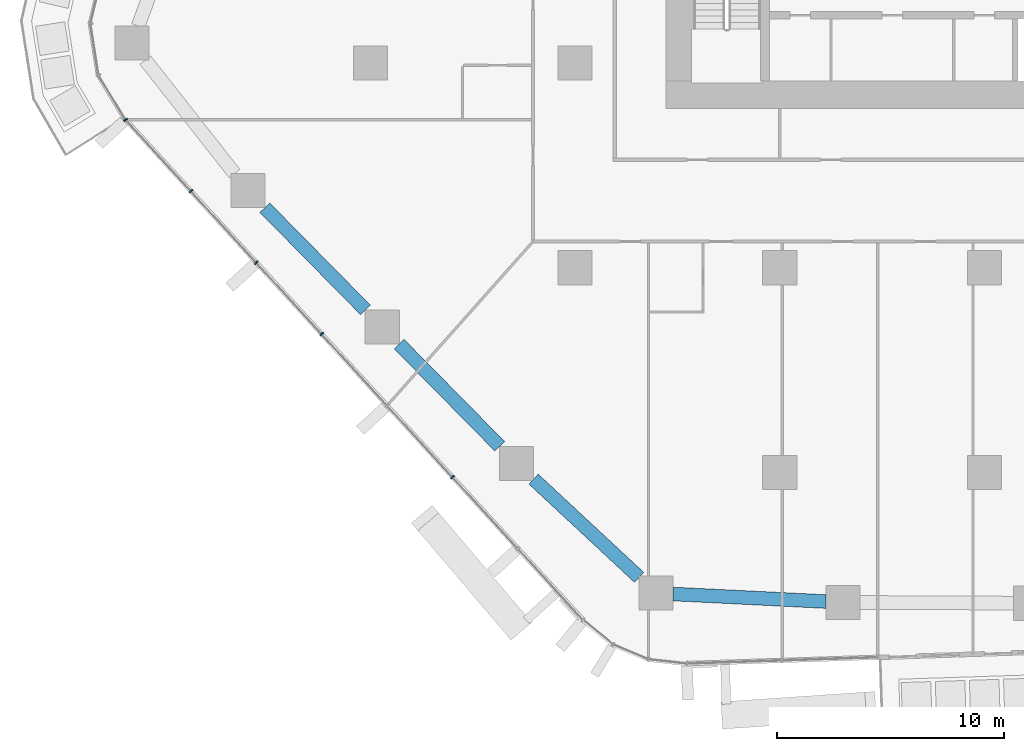
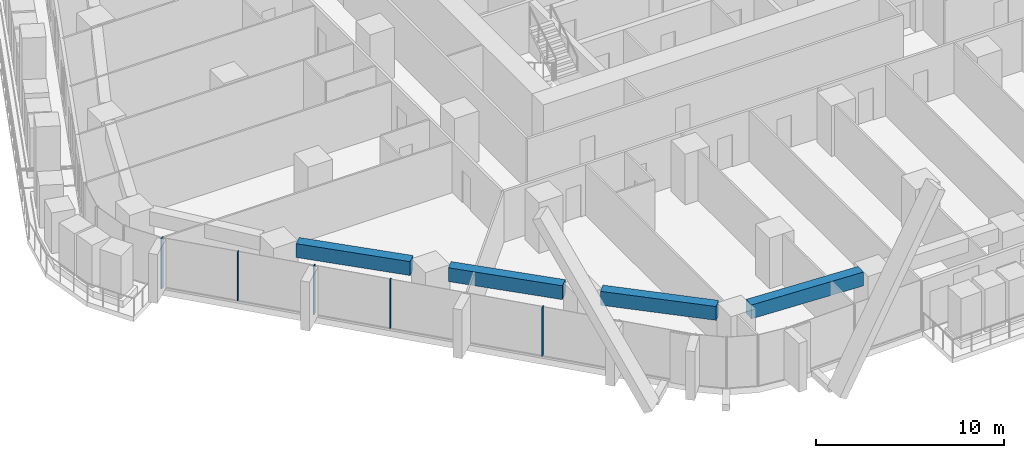
# One storey, part 3 of 27: 5 members, 4 beams, 2 elements without a shape of their own.
"""IFC4 building model written with IfcOpenShell, lengths in metres."""

from ifc_helpers import new_model, si_unit, direction, frame, origin, origin_2d, place, context, subcontext, project, spatial, rectangle, extrude, material, layer, layer_set, material_profile, profile_set, type_object, element, aggregate, save


model = new_model("IFC4")

# Units and contexts
model_context = context("Model", 3, precision=1e-05, world=origin(), true_north=direction((0.0, 1.0)))
body_context = subcontext(model_context, "Body", "Model", "MODEL_VIEW")
ifc_project = project(units=[si_unit("LENGTHUNIT", "METRE"), si_unit("AREAUNIT", "SQUARE_METRE"), si_unit("VOLUMEUNIT", "CUBIC_METRE"), si_unit("PLANEANGLEUNIT", "RADIAN"), si_unit("MASSUNIT", "GRAM", prefix="KILO")], contexts=[model_context])

# Site, building, storey
site_placement = place(None, origin())
site = spatial("IfcSite", under=ifc_project, at=site_placement, CompositionType="ELEMENT")
building_placement = place(site_placement, origin())
building = spatial("IfcBuilding", under=site, at=building_placement, Name="Dongbaek Canopy Tower", CompositionType="ELEMENT")
storey_placement = place(building_placement, frame((0.0, 0.0, 62.5)))
storey = spatial("IfcBuildingStorey", under=building, at=storey_placement, Name="L11", CompositionType="ELEMENT", Elevation=62.5)

# Curtain wall, member
ifc_material_1 = material(Name="Aluminium 6063-T6 pale anodised", Category="aluminium")
ifc_layer = layer(ifc_material_1, 0.199951171875)
ifc_layer_set = layer_set([ifc_layer], Name="CW-1 unitised tower curtain wall")
curtain_wall_type = type_object("IfcCurtainWallType", Name="CW-1 unitised tower curtain wall", PredefinedType="NOTDEFINED", material=ifc_layer_set)
curtain_wall_1_placement = place(storey_placement, origin())
curtain_wall_1 = element("IfcCurtainWall", 1, at=curtain_wall_1_placement, inside=storey, type_object=curtain_wall_type, Name="CW-1 curtain wall K3.1", PredefinedType="NOTDEFINED")
ifc_material_2 = material(Name="Aluminium 6063-T6 pale anodised", Category="aluminium")
ifc_material_profile_1 = material_profile(ifc_material_2, rectangle(XDim=0.199951171875, YDim=0.06005859375, at=origin_2d()), Name="CW-1 mullion 60 x 200")
ifc_profile_set_1 = profile_set([ifc_material_profile_1], Name="Aluminium 6063-T6 pale anodised")
member_type = type_object("IfcMemberType", Name="CW-1 mullion 60 x 200", PredefinedType="MULLION", material=ifc_profile_set_1)
member_1_placement = place(storey_placement, frame((-37.762939453125, -11.49755859375, 0.0), z_axis=(0.0, 0.0, 1.0), x_axis=(-0.854918755769, -0.518761911703, 0.0)))
member_1 = element("IfcMember", 2, at=member_1_placement, type_object=member_type, Name="CW-1 mullion K3.1.4", PredefinedType="MULLION", context=body_context, shape_type="SweptSolid", body=[
    extrude(rectangle(XDim=0.199951171875, YDim=0.06005859375, at=origin_2d()), origin(), (0.0, 0.0, 1.0), 3.300048828125),
])
aggregate(curtain_wall_1, [member_1])

# Curtain wall, members
curtain_wall_2_placement = place(storey_placement, origin())
curtain_wall_2 = element("IfcCurtainWall", 3, at=curtain_wall_2_placement, inside=storey, type_object=curtain_wall_type, Name="CW-1 curtain wall F3.1", PredefinedType="NOTDEFINED")
member_2_placement = place(storey_placement, frame((-34.893798828125, -14.634033203125, 0.1201171875), z_axis=(0.0, 0.0, 1.0), x_axis=(-0.737854848702, -0.674959422667, 0.0)))
member_2 = element("IfcMember", 4, at=member_2_placement, type_object=member_type, Name="CW-1 mullion F3.1.2", PredefinedType="MULLION", context=body_context, shape_type="SweptSolid", body=[
    extrude(rectangle(XDim=0.199951171875, YDim=0.06005859375, at=origin_2d()), origin(), (0.0, 0.0, 1.0), 3.179931640625),
])
member_3_placement = place(storey_placement, frame((-32.01806640625, -17.777587890625, 0.1201171875), z_axis=(0.0, 0.0, 1.0), x_axis=(-0.737854848702, -0.674959422667, 0.0)))
member_3 = element("IfcMember", 5, at=member_3_placement, type_object=member_type, Name="CW-1 mullion F3.1.3", PredefinedType="MULLION", context=body_context, shape_type="SweptSolid", body=[
    extrude(rectangle(XDim=0.199951171875, YDim=0.06005859375, at=origin_2d()), origin(), (0.0, 0.0, 1.0), 3.179931640625),
])
member_4_placement = place(storey_placement, frame((-29.142578125, -20.921142578125, 0.1201171875), z_axis=(0.0, 0.0, 1.0), x_axis=(-0.737854848702, -0.674959422667, 0.0)))
member_4 = element("IfcMember", 6, at=member_4_placement, type_object=member_type, Name="CW-1 mullion F3.1.4", PredefinedType="MULLION", context=body_context, shape_type="SweptSolid", body=[
    extrude(rectangle(XDim=0.199951171875, YDim=0.06005859375, at=origin_2d()), origin(), (0.0, 0.0, 1.0), 3.179931640625),
])
member_5_placement = place(storey_placement, frame((-23.391357421875, -27.208251953125, 0.1201171875), z_axis=(0.0, 0.0, 1.0), x_axis=(-0.737854848702, -0.674959422667, 0.0)))
member_5 = element("IfcMember", 7, at=member_5_placement, type_object=member_type, Name="CW-1 mullion F3.1.6", PredefinedType="MULLION", context=body_context, shape_type="SweptSolid", body=[
    extrude(rectangle(XDim=0.199951171875, YDim=0.06005859375, at=origin_2d()), origin(), (0.0, 0.0, 1.0), 3.179931640625),
])
aggregate(curtain_wall_2, [member_2, member_3, member_4, member_5])

# Beams
ifc_material_3 = material(Name="Concrete C80", Category="concrete")
ifc_material_profile_2 = material_profile(ifc_material_3, rectangle(XDim=0.60009765625, YDim=0.89990234375, at=origin_2d()), Name="RC EDGE BEAM 600x900 C80")
ifc_profile_set_2 = profile_set([ifc_material_profile_2], Name="Concrete C80")
beam_type = type_object("IfcBeamType", Name="RC EDGE BEAM 600x900 C80", PredefinedType="BEAM", material=ifc_profile_set_2)
beam_1_placement = place(storey_placement, frame((-6.971923828125, -32.68017578125, 2.85009765625), z_axis=(-0.998791258722, 0.049153041612, 0.0), x_axis=(-0.049153041612, -0.998791258722, 0.0)))
element("IfcBeam", 8, at=beam_1_placement, inside=storey, type_object=beam_type, Name="EDGEBEAM:L11:03", PredefinedType="BEAM", context=body_context, shape_type="SweptSolid", body=[
    extrude(rectangle(XDim=0.60009765625, YDim=0.89990234375, at=origin_2d()), origin(), (0.0, 0.0, 1.0), 6.72021484375),
])
beam_2_placement = place(storey_placement, frame((-15.18408203125, -31.615478515625, 2.85009765625), z_axis=(-0.732207291567, 0.681081846899, 0.0), x_axis=(-0.681081846899, -0.732207291567, 0.0)))
element("IfcBeam", 9, at=beam_2_placement, inside=storey, type_object=beam_type, Name="EDGEBEAM:L11:04", PredefinedType="BEAM", context=body_context, shape_type="SweptSolid", body=[
    extrude(rectangle(XDim=0.60009765625, YDim=0.89990234375, at=origin_2d()), origin(), (0.0, 0.0, 1.0), 6.3369140625),
])
beam_3_placement = place(storey_placement, frame((-21.312744140625, -25.85205078125, 2.85009765625), z_axis=(-0.701726082417, 0.712446843811, 0.0), x_axis=(-0.712446843811, -0.701726082417, 0.0)))
element("IfcBeam", 10, at=beam_3_placement, inside=storey, type_object=beam_type, Name="EDGEBEAM:L11:05", PredefinedType="BEAM", context=body_context, shape_type="SweptSolid", body=[
    extrude(rectangle(XDim=0.60009765625, YDim=0.89990234375, at=origin_2d()), origin(), (0.0, 0.0, 1.0), 6.30810546875),
])
beam_4_placement = place(storey_placement, frame((-27.216552734375, -19.85791015625, 2.85009765625), z_axis=(-0.701687682569, 0.712484663787, 0.0), x_axis=(-0.712484663787, -0.701687682569, 0.0)))
element("IfcBeam", 11, at=beam_4_placement, inside=storey, type_object=beam_type, Name="EDGEBEAM:L11:06", PredefinedType="BEAM", context=body_context, shape_type="SweptSolid", body=[
    extrude(rectangle(XDim=0.60009765625, YDim=0.89990234375, at=origin_2d()), origin(), (0.0, 0.0, 1.0), 6.308837890625),
])

save(model, "model.ifc")
